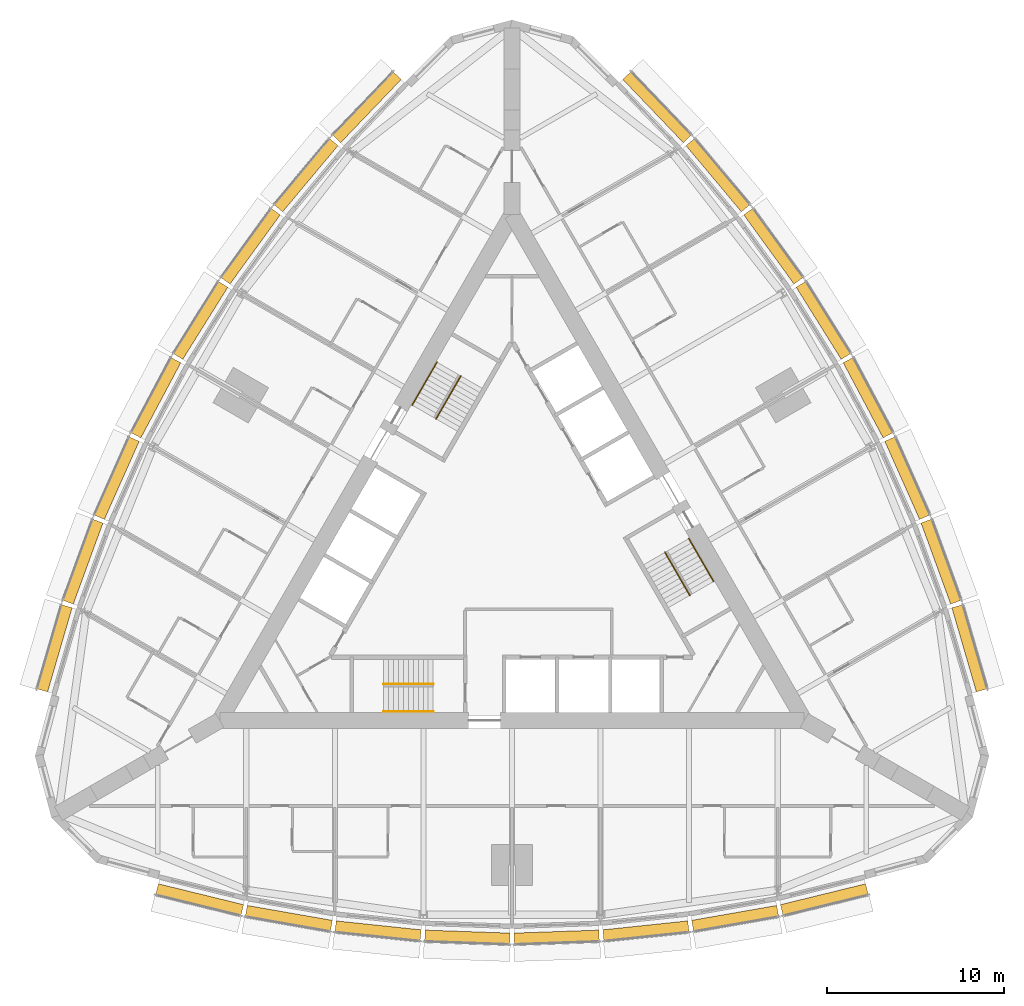
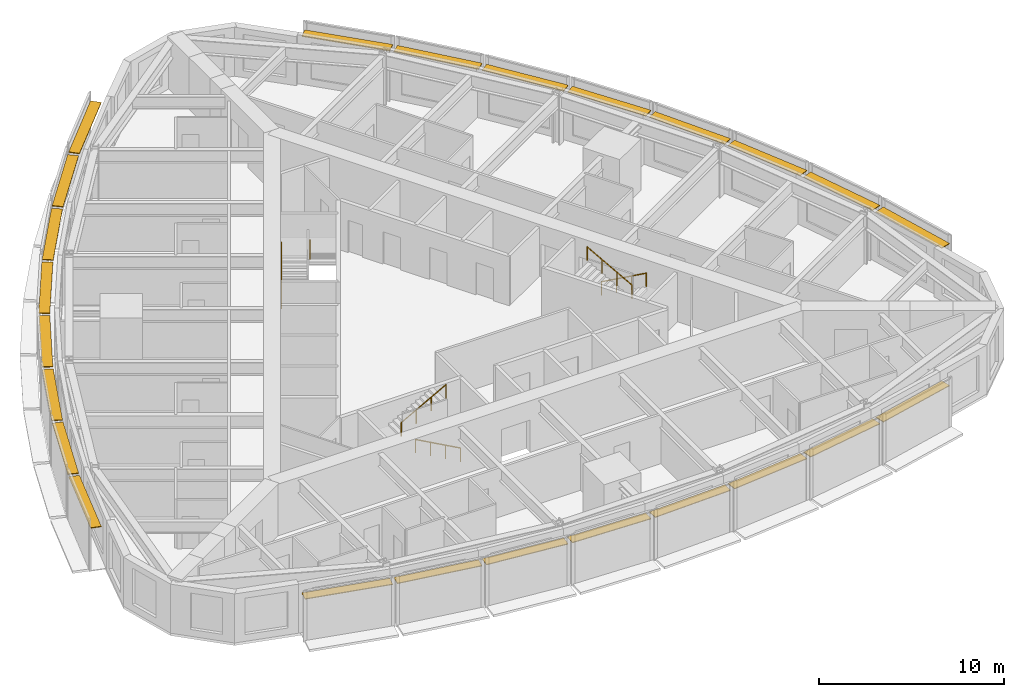
# One storey, part 14 of 14: 24 shading devices, 6 railings.
"""IFC4 building model written with IfcOpenShell, lengths in metres."""

from ifc_helpers import new_model, si_unit, direction, frame, origin, origin_2d, place, context, subcontext, project, spatial, rectangle, circle, extrude, material, type_object, element, save


model = new_model("IFC4")

# Units and contexts
model_context = context("Model", 3, precision=1e-05, world=origin(), true_north=direction((0.0, 1.0)))
body_context = subcontext(model_context, "Body", "Model", "MODEL_VIEW")
ifc_project = project(units=[si_unit("LENGTHUNIT", "METRE"), si_unit("AREAUNIT", "SQUARE_METRE"), si_unit("VOLUMEUNIT", "CUBIC_METRE"), si_unit("PLANEANGLEUNIT", "RADIAN"), si_unit("MASSUNIT", "GRAM", prefix="KILO")], contexts=[model_context])

# Site, building, storey
site_placement = place(None, origin())
site = spatial("IfcSite", under=ifc_project, at=site_placement, CompositionType="ELEMENT")
building_placement = place(site_placement, origin())
building = spatial("IfcBuilding", under=site, at=building_placement, Name="Trikona Tower", CompositionType="ELEMENT")
storey_placement = place(building_placement, frame((0.0, 0.0, 179.300048828125)))
storey = spatial("IfcBuildingStorey", under=building, at=storey_placement, Name="L48", CompositionType="ELEMENT", Elevation=179.300048828125)

# Shading devices
ifc_material_1 = material(Name="Aluminium louvre blade, pale anodised", Category="aluminium")
shading_device_type = type_object("IfcShadingDeviceType", Name="Cavity louvre 600", PredefinedType="USERDEFINED", material=ifc_material_1)
shading_device_1_placement = place(storey_placement, frame((-17.63330078125, -19.631591796875, 2.77490234375), z_axis=(0.0, 0.0, 1.0), x_axis=(0.971274411564, -0.237962218516, 0.0)))
element("IfcShadingDevice", 1, at=shading_device_1_placement, inside=storey, type_object=shading_device_type, Name="Cavity louvre L48-00", ObjectType="LOUVRE", PredefinedType="USERDEFINED", context=body_context, shape_type="SweptSolid", body=[
    extrude(rectangle(XDim=4.947998046875, YDim=0.60009765625, at=origin_2d()), origin(), (0.0, 0.0, 1.0), 0.050048828125),
])
shading_device_2_placement = place(storey_placement, frame((-12.596435546875, -20.689208984375, 2.77490234375), z_axis=(0.0, 0.0, 1.0), x_axis=(0.985030604067, -0.172379549401, 0.0)))
element("IfcShadingDevice", 2, at=shading_device_2_placement, inside=storey, type_object=shading_device_type, Name="Cavity louvre L48-01", ObjectType="LOUVRE", PredefinedType="USERDEFINED", context=body_context, shape_type="SweptSolid", body=[
    extrude(rectangle(XDim=4.8759765625, YDim=0.60009765625, at=origin_2d()), origin(), (0.0, 0.0, 1.0), 0.050048828125),
])
shading_device_3_placement = place(storey_placement, frame((-7.55859375, -21.39453125, 2.77490234375), z_axis=(0.0, 0.0, 1.0), x_axis=(0.994532653854, -0.104426052392, 0.0)))
element("IfcShadingDevice", 3, at=shading_device_3_placement, inside=storey, type_object=shading_device_type, Name="Cavity louvre L48-02", ObjectType="LOUVRE", PredefinedType="USERDEFINED", context=body_context, shape_type="SweptSolid", body=[
    extrude(rectangle(XDim=4.827392578125, YDim=0.60009765625, at=origin_2d()), origin(), (0.0, 0.0, 1.0), 0.050048828125),
])
for number, where, z_axis, x_axis, name in (
    (4, (-2.51953125, -21.747314453125, 2.77490234375), (0.0, 0.0, 1.0), (0.999388082937, -0.034977988567, 0.0), "Cavity louvre L48-03"),
    (5, (2.51953125, -21.747314453125, 2.77490234375), (0.0, 0.0, 1.0), (0.999388082937, 0.034977988567, 0.0), "Cavity louvre L48-04"),
):
    element("IfcShadingDevice", number, at=place(storey_placement, frame(where, z_axis=z_axis, x_axis=x_axis)), inside=storey, type_object=shading_device_type, Name=name, ObjectType="LOUVRE", PredefinedType="USERDEFINED", context=body_context, shape_type="SweptSolid", body=[
        extrude(rectangle(XDim=4.802978515625, YDim=0.60009765625, at=origin_2d()), origin(), (0.0, 0.0, 1.0), 0.050048828125),
    ])
shading_device_4_placement = place(storey_placement, frame((7.55859375, -21.39453125, 2.77490234375), z_axis=(0.0, 0.0, 1.0), x_axis=(0.994532653854, 0.104426052392, 0.0)))
element("IfcShadingDevice", 6, at=shading_device_4_placement, inside=storey, type_object=shading_device_type, Name="Cavity louvre L48-05", ObjectType="LOUVRE", PredefinedType="USERDEFINED", context=body_context, shape_type="SweptSolid", body=[
    extrude(rectangle(XDim=4.827392578125, YDim=0.60009765625, at=origin_2d()), origin(), (0.0, 0.0, 1.0), 0.050048828125),
])
shading_device_5_placement = place(storey_placement, frame((12.596435546875, -20.689208984375, 2.77490234375), z_axis=(0.0, 0.0, 1.0), x_axis=(0.985030604067, 0.172379549401, 0.0)))
element("IfcShadingDevice", 7, at=shading_device_5_placement, inside=storey, type_object=shading_device_type, Name="Cavity louvre L48-06", ObjectType="LOUVRE", PredefinedType="USERDEFINED", context=body_context, shape_type="SweptSolid", body=[
    extrude(rectangle(XDim=4.8759765625, YDim=0.60009765625, at=origin_2d()), origin(), (0.0, 0.0, 1.0), 0.050048828125),
])
shading_device_6_placement = place(storey_placement, frame((17.63330078125, -19.631591796875, 2.77490234375), z_axis=(0.0, 0.0, 1.0), x_axis=(0.971274411564, 0.237962218516, 0.0)))
element("IfcShadingDevice", 8, at=shading_device_6_placement, inside=storey, type_object=shading_device_type, Name="Cavity louvre L48-07", ObjectType="LOUVRE", PredefinedType="USERDEFINED", context=body_context, shape_type="SweptSolid", body=[
    extrude(rectangle(XDim=4.947998046875, YDim=0.60009765625, at=origin_2d()), origin(), (0.0, 0.0, 1.0), 0.050048828125),
])
shading_device_7_placement = place(storey_placement, frame((25.818115234375, -5.455078125, 2.77490234375), z_axis=(0.0, 0.0, 1.0), x_axis=(-0.279554203664, 0.960129911634, 0.0)))
element("IfcShadingDevice", 9, at=shading_device_7_placement, inside=storey, type_object=shading_device_type, Name="Cavity louvre L48-12", ObjectType="LOUVRE", PredefinedType="USERDEFINED", context=body_context, shape_type="SweptSolid", body=[
    extrude(rectangle(XDim=4.94775390625, YDim=0.60009765625, at=origin_2d()), origin(), (0.0, 0.0, 1.0), 0.050048828125),
])
shading_device_8_placement = place(storey_placement, frame((24.2158203125, -0.564208984375, 2.77490234375), z_axis=(0.0, 0.0, 1.0), x_axis=(-0.343220397324, 0.939254895575, 0.0)))
element("IfcShadingDevice", 10, at=shading_device_8_placement, inside=storey, type_object=shading_device_type, Name="Cavity louvre L48-13", ObjectType="LOUVRE", PredefinedType="USERDEFINED", context=body_context, shape_type="SweptSolid", body=[
    extrude(rectangle(XDim=4.8759765625, YDim=0.60009765625, at=origin_2d()), origin(), (0.0, 0.0, 1.0), 0.050048828125),
])
shading_device_9_placement = place(storey_placement, frame((22.3076171875, 4.151611328125, 2.77490234375), z_axis=(0.0, 0.0, 1.0), x_axis=(-0.406843467615, 0.913497888809, 0.0)))
element("IfcShadingDevice", 11, at=shading_device_9_placement, inside=storey, type_object=shading_device_type, Name="Cavity louvre L48-14", ObjectType="LOUVRE", PredefinedType="USERDEFINED", context=body_context, shape_type="SweptSolid", body=[
    extrude(rectangle(XDim=4.827392578125, YDim=0.60009765625, at=origin_2d()), origin(), (0.0, 0.0, 1.0), 0.050048828125),
])
for number, where, z_axis, x_axis, name in (
    (12, (20.093505859375, 8.691650390625, 2.77490234375), (0.0, 0.0, 1.0), (-0.469397591494, 0.882986920118, 0.0), "Cavity louvre L48-15"),
    (13, (17.573974609375, 13.0556640625, 2.77490234375), (0.0, 0.0, 1.0), (-0.529994748414, 0.848000923734, 0.0), "Cavity louvre L48-16"),
):
    element("IfcShadingDevice", number, at=place(storey_placement, frame(where, z_axis=z_axis, x_axis=x_axis)), inside=storey, type_object=shading_device_type, Name=name, ObjectType="LOUVRE", PredefinedType="USERDEFINED", context=body_context, shape_type="SweptSolid", body=[
        extrude(rectangle(XDim=4.802978515625, YDim=0.60009765625, at=origin_2d()), origin(), (0.0, 0.0, 1.0), 0.050048828125),
    ])
shading_device_10_placement = place(storey_placement, frame((14.7490234375, 17.2431640625, 2.77490234375), z_axis=(0.0, 0.0, 1.0), x_axis=(-0.587686407834, 0.809088799853, 0.0)))
element("IfcShadingDevice", 14, at=shading_device_10_placement, inside=storey, type_object=shading_device_type, Name="Cavity louvre L48-17", ObjectType="LOUVRE", PredefinedType="USERDEFINED", context=body_context, shape_type="SweptSolid", body=[
    extrude(rectangle(XDim=4.827392578125, YDim=0.60009765625, at=origin_2d()), origin(), (0.0, 0.0, 1.0), 0.050048828125),
])
shading_device_11_placement = place(storey_placement, frame((11.619140625, 21.253662109375, 2.77490234375), z_axis=(0.0, 0.0, 1.0), x_axis=(-0.641807063101, 0.766866151133, 0.0)))
element("IfcShadingDevice", 15, at=shading_device_11_placement, inside=storey, type_object=shading_device_type, Name="Cavity louvre L48-18", ObjectType="LOUVRE", PredefinedType="USERDEFINED", context=body_context, shape_type="SweptSolid", body=[
    extrude(rectangle(XDim=4.8759765625, YDim=0.60009765625, at=origin_2d()), origin(), (0.0, 0.0, 1.0), 0.050048828125),
])
for number, where, z_axis, x_axis, name in (
    (16, (8.184814453125, 25.086669921875, 2.77490234375), (0.0, 0.0, 1.0), (-0.691723573819, 0.722162376078, 0.0), "Cavity louvre L48-19"),
    (17, (-8.184814453125, 25.086669921875, 2.77490234375), (0.0, 0.0, 1.0), (-0.691723573819, -0.722162376078, 0.0), "Cavity louvre L48-24"),
):
    element("IfcShadingDevice", number, at=place(storey_placement, frame(where, z_axis=z_axis, x_axis=x_axis)), inside=storey, type_object=shading_device_type, Name=name, ObjectType="LOUVRE", PredefinedType="USERDEFINED", context=body_context, shape_type="SweptSolid", body=[
        extrude(rectangle(XDim=4.947998046875, YDim=0.60009765625, at=origin_2d()), origin(), (0.0, 0.0, 1.0), 0.050048828125),
    ])
shading_device_12_placement = place(storey_placement, frame((-11.619140625, 21.253662109375, 2.77490234375), z_axis=(0.0, 0.0, 1.0), x_axis=(-0.641807063101, -0.766866151133, 0.0)))
element("IfcShadingDevice", 18, at=shading_device_12_placement, inside=storey, type_object=shading_device_type, Name="Cavity louvre L48-25", ObjectType="LOUVRE", PredefinedType="USERDEFINED", context=body_context, shape_type="SweptSolid", body=[
    extrude(rectangle(XDim=4.8759765625, YDim=0.60009765625, at=origin_2d()), origin(), (0.0, 0.0, 1.0), 0.050048828125),
])
shading_device_13_placement = place(storey_placement, frame((-14.7490234375, 17.2431640625, 2.77490234375), z_axis=(0.0, 0.0, 1.0), x_axis=(-0.587686407834, -0.809088799853, 0.0)))
element("IfcShadingDevice", 19, at=shading_device_13_placement, inside=storey, type_object=shading_device_type, Name="Cavity louvre L48-26", ObjectType="LOUVRE", PredefinedType="USERDEFINED", context=body_context, shape_type="SweptSolid", body=[
    extrude(rectangle(XDim=4.827392578125, YDim=0.60009765625, at=origin_2d()), origin(), (0.0, 0.0, 1.0), 0.050048828125),
])
for number, where, z_axis, x_axis, name in (
    (20, (-17.573974609375, 13.0556640625, 2.77490234375), (0.0, 0.0, 1.0), (-0.529994748414, -0.848000923734, 0.0), "Cavity louvre L48-27"),
    (21, (-20.093505859375, 8.691650390625, 2.77490234375), (0.0, 0.0, 1.0), (-0.469397591494, -0.882986920118, 0.0), "Cavity louvre L48-28"),
):
    element("IfcShadingDevice", number, at=place(storey_placement, frame(where, z_axis=z_axis, x_axis=x_axis)), inside=storey, type_object=shading_device_type, Name=name, ObjectType="LOUVRE", PredefinedType="USERDEFINED", context=body_context, shape_type="SweptSolid", body=[
        extrude(rectangle(XDim=4.802978515625, YDim=0.60009765625, at=origin_2d()), origin(), (0.0, 0.0, 1.0), 0.050048828125),
    ])
shading_device_14_placement = place(storey_placement, frame((-22.3076171875, 4.151611328125, 2.77490234375), z_axis=(0.0, 0.0, 1.0), x_axis=(-0.406843467615, -0.913497888809, 0.0)))
element("IfcShadingDevice", 22, at=shading_device_14_placement, inside=storey, type_object=shading_device_type, Name="Cavity louvre L48-29", ObjectType="LOUVRE", PredefinedType="USERDEFINED", context=body_context, shape_type="SweptSolid", body=[
    extrude(rectangle(XDim=4.827392578125, YDim=0.60009765625, at=origin_2d()), origin(), (0.0, 0.0, 1.0), 0.050048828125),
])
shading_device_15_placement = place(storey_placement, frame((-24.2158203125, -0.564208984375, 2.77490234375), z_axis=(0.0, 0.0, 1.0), x_axis=(-0.343220397324, -0.939254895575, 0.0)))
element("IfcShadingDevice", 23, at=shading_device_15_placement, inside=storey, type_object=shading_device_type, Name="Cavity louvre L48-30", ObjectType="LOUVRE", PredefinedType="USERDEFINED", context=body_context, shape_type="SweptSolid", body=[
    extrude(rectangle(XDim=4.8759765625, YDim=0.60009765625, at=origin_2d()), origin(), (0.0, 0.0, 1.0), 0.050048828125),
])
shading_device_16_placement = place(storey_placement, frame((-25.818115234375, -5.455078125, 2.77490234375), z_axis=(0.0, 0.0, 1.0), x_axis=(-0.279554203664, -0.960129911634, 0.0)))
element("IfcShadingDevice", 24, at=shading_device_16_placement, inside=storey, type_object=shading_device_type, Name="Cavity louvre L48-31", ObjectType="LOUVRE", PredefinedType="USERDEFINED", context=body_context, shape_type="SweptSolid", body=[
    extrude(rectangle(XDim=4.94775390625, YDim=0.60009765625, at=origin_2d()), origin(), (0.0, 0.0, 1.0), 0.050048828125),
])

# Railings
ifc_material_2 = material(Name="Stainless steel handrail", Category="steel")
railing_type = type_object("IfcRailingType", Name="Stair handrail", PredefinedType="HANDRAIL", material=ifc_material_2)
railing_1_placement = place(storey_placement, frame((-4.449951171875, -9.016357421875, 0.154541015625)))
element("IfcRailing", 25, at=railing_1_placement, inside=storey, type_object=railing_type, Name="Stair handrail A L48 1", PredefinedType="HANDRAIL", context=body_context, shape_type="SweptSolid", body=[
    extrude(circle(Radius=0.02392578125, at=origin_2d()), frame((0.0, 0.0, 0.8759765625), z_axis=(-0.875504190374, 0.0, 0.483210526207), x_axis=(0.0, -1.0, 0.0)), (0.0, 0.0, 1.0), 3.1982421875),
    extrude(circle(Radius=0.02099609375, at=origin_2d()), origin(), (0.0, 0.0, 1.0), 0.851806640625),
    extrude(circle(Radius=0.02099609375, at=origin_2d()), frame((-0.933349609375, 0.0, 0.51513671875)), (0.0, 0.0, 1.0), 0.851806640625),
    extrude(circle(Radius=0.02099609375, at=origin_2d()), frame((-1.86669921875, 0.0, 1.0302734375)), (0.0, 0.0, 1.0), 0.851806640625),
    extrude(circle(Radius=0.02099609375, at=origin_2d()), frame((-2.800048828125, 0.0, 1.54541015625)), (0.0, 0.0, 1.0), 0.851806640625),
])
railing_2_placement = place(storey_placement, frame((-7.25, -7.46630859375, 1.8544921875)))
element("IfcRailing", 26, at=railing_2_placement, inside=storey, type_object=railing_type, Name="Stair handrail A L48 2", PredefinedType="HANDRAIL", context=body_context, shape_type="SweptSolid", body=[
    extrude(circle(Radius=0.02392578125, at=origin_2d()), frame((0.0, 0.0, 0.8759765625), z_axis=(0.875504190374, 0.0, 0.483210526207), x_axis=(0.0, 1.0, 0.0)), (0.0, 0.0, 1.0), 3.1982421875),
    extrude(circle(Radius=0.02099609375, at=origin_2d()), origin(), (0.0, 0.0, 1.0), 0.851806640625),
    extrude(circle(Radius=0.02099609375, at=origin_2d()), frame((0.933349609375, 0.0, 0.51513671875)), (0.0, 0.0, 1.0), 0.851806640625),
    extrude(circle(Radius=0.02099609375, at=origin_2d()), frame((1.86669921875, 0.0, 1.0302734375)), (0.0, 0.0, 1.0), 0.851806640625),
    extrude(circle(Radius=0.02099609375, at=origin_2d()), frame((2.800048828125, 0.0, 1.54541015625)), (0.0, 0.0, 1.0), 0.851806640625),
])
railing_3_placement = place(storey_placement, frame((9.9833984375, 0.740966796875, 0.154541015625)))
element("IfcRailing", 27, at=railing_3_placement, inside=storey, type_object=railing_type, Name="Stair handrail B L48 1", PredefinedType="HANDRAIL", context=body_context, shape_type="SweptSolid", body=[
    extrude(circle(Radius=0.02392578125, at=origin_2d()), frame((0.0, 0.0, 0.8759765625), z_axis=(0.437707188162, -0.758239536103, 0.483203087036), x_axis=(0.866056369097, 0.49994636267, 0.0)), (0.0, 0.0, 1.0), 3.1982421875),
    extrude(circle(Radius=0.02099609375, at=origin_2d()), origin(), (0.0, 0.0, 1.0), 0.851806640625),
    extrude(circle(Radius=0.02099609375, at=origin_2d()), frame((0.466552734375, -0.808349609375, 0.51513671875)), (0.0, 0.0, 1.0), 0.851806640625),
    extrude(circle(Radius=0.02099609375, at=origin_2d()), frame((0.933349609375, -1.61669921875, 1.0302734375)), (0.0, 0.0, 1.0), 0.851806640625),
    extrude(circle(Radius=0.02099609375, at=origin_2d()), frame((1.39990234375, -2.425048828125, 1.54541015625)), (0.0, 0.0, 1.0), 0.851806640625),
])
railing_4_placement = place(storey_placement, frame((10.041015625, -2.458984375, 1.8544921875)))
element("IfcRailing", 28, at=railing_4_placement, inside=storey, type_object=railing_type, Name="Stair handrail B L48 2", PredefinedType="HANDRAIL", context=body_context, shape_type="SweptSolid", body=[
    extrude(circle(Radius=0.02392578125, at=origin_2d()), frame((0.0, 0.0, 0.8759765625), z_axis=(-0.437707188162, 0.758239536103, 0.483203087036), x_axis=(-0.866056369097, -0.49994636267, 0.0)), (0.0, 0.0, 1.0), 3.1982421875),
    extrude(circle(Radius=0.02099609375, at=origin_2d()), origin(), (0.0, 0.0, 1.0), 0.851806640625),
    extrude(circle(Radius=0.02099609375, at=origin_2d()), frame((-0.466552734375, 0.808349609375, 0.51513671875)), (0.0, 0.0, 1.0), 0.851806640625),
    extrude(circle(Radius=0.02099609375, at=origin_2d()), frame((-0.933349609375, 1.61669921875, 1.0302734375)), (0.0, 0.0, 1.0), 0.851806640625),
    extrude(circle(Radius=0.02099609375, at=origin_2d()), frame((-1.39990234375, 2.425048828125, 1.54541015625)), (0.0, 0.0, 1.0), 0.851806640625),
])
railing_5_placement = place(storey_placement, frame((-5.63330078125, 8.275390625, 0.154541015625)))
element("IfcRailing", 29, at=railing_5_placement, inside=storey, type_object=railing_type, Name="Stair handrail C L48 1", PredefinedType="HANDRAIL", context=body_context, shape_type="SweptSolid", body=[
    extrude(circle(Radius=0.02392578125, at=origin_2d()), frame((0.0, 0.0, 0.8759765625), z_axis=(0.437732523806, 0.758207085183, 0.483231056102), x_axis=(-0.866034573852, 0.49998411664, 0.0)), (0.0, 0.0, 1.0), 3.197998046875),
    extrude(circle(Radius=0.02099609375, at=origin_2d()), origin(), (0.0, 0.0, 1.0), 0.851806640625),
    extrude(circle(Radius=0.02099609375, at=origin_2d()), frame((0.466552734375, 0.808349609375, 0.51513671875)), (0.0, 0.0, 1.0), 0.851806640625),
    extrude(circle(Radius=0.02099609375, at=origin_2d()), frame((0.933349609375, 1.616455078125, 1.0302734375)), (0.0, 0.0, 1.0), 0.851806640625),
    extrude(circle(Radius=0.02099609375, at=origin_2d()), frame((1.39990234375, 2.4248046875, 1.54541015625)), (0.0, 0.0, 1.0), 0.851806640625),
])
railing_6_placement = place(storey_placement, frame((-2.89111328125, 9.92529296875, 1.8544921875)))
element("IfcRailing", 30, at=railing_6_placement, inside=storey, type_object=railing_type, Name="Stair handrail C L48 2", PredefinedType="HANDRAIL", context=body_context, shape_type="SweptSolid", body=[
    extrude(circle(Radius=0.02392578125, at=origin_2d()), frame((0.0, 0.0, 0.8759765625), z_axis=(-0.437707188162, -0.758239536103, 0.483203087036), x_axis=(0.866056369097, -0.49994636267, 0.0)), (0.0, 0.0, 1.0), 3.1982421875),
    extrude(circle(Radius=0.02099609375, at=origin_2d()), origin(), (0.0, 0.0, 1.0), 0.851806640625),
    extrude(circle(Radius=0.02099609375, at=origin_2d()), frame((-0.466552734375, -0.808349609375, 0.51513671875)), (0.0, 0.0, 1.0), 0.851806640625),
    extrude(circle(Radius=0.02099609375, at=origin_2d()), frame((-0.933349609375, -1.61669921875, 1.0302734375)), (0.0, 0.0, 1.0), 0.851806640625),
    extrude(circle(Radius=0.02099609375, at=origin_2d()), frame((-1.39990234375, -2.425048828125, 1.54541015625)), (0.0, 0.0, 1.0), 0.851806640625),
])

save(model, "model.ifc")
